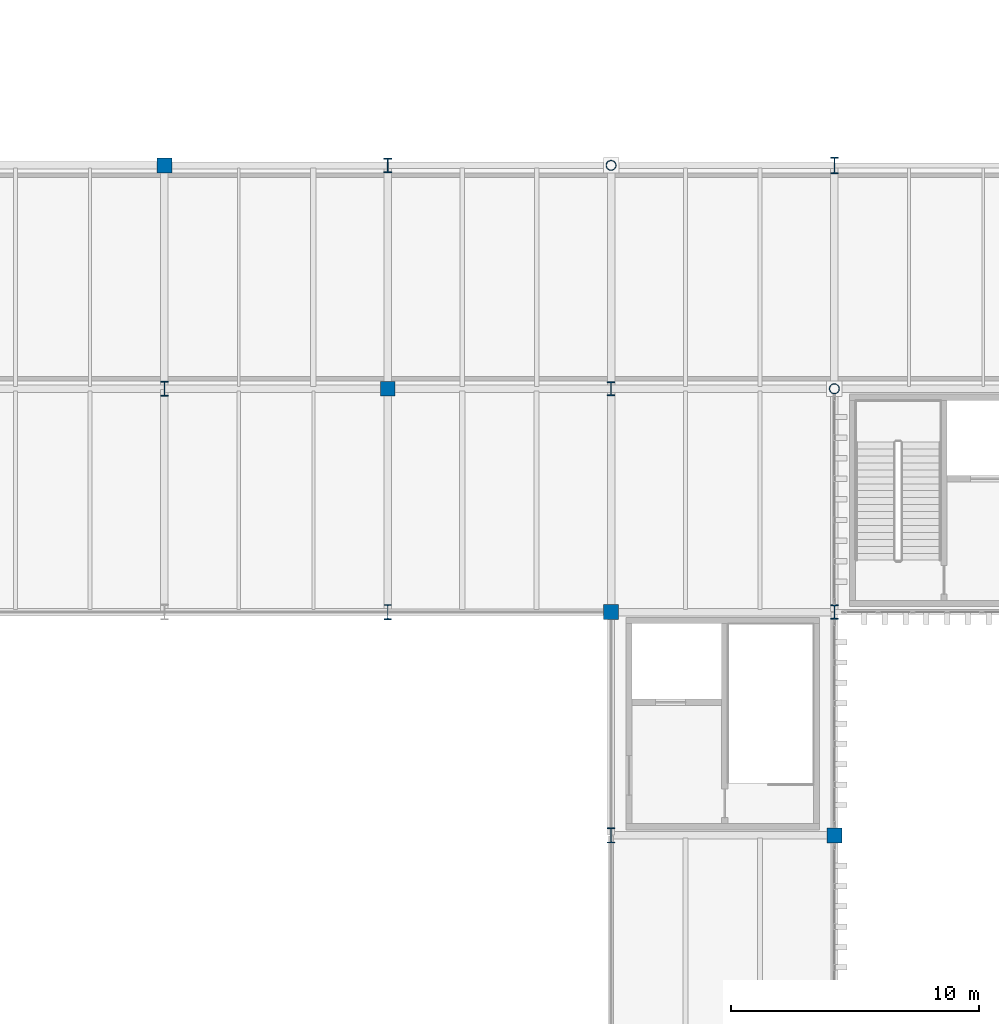
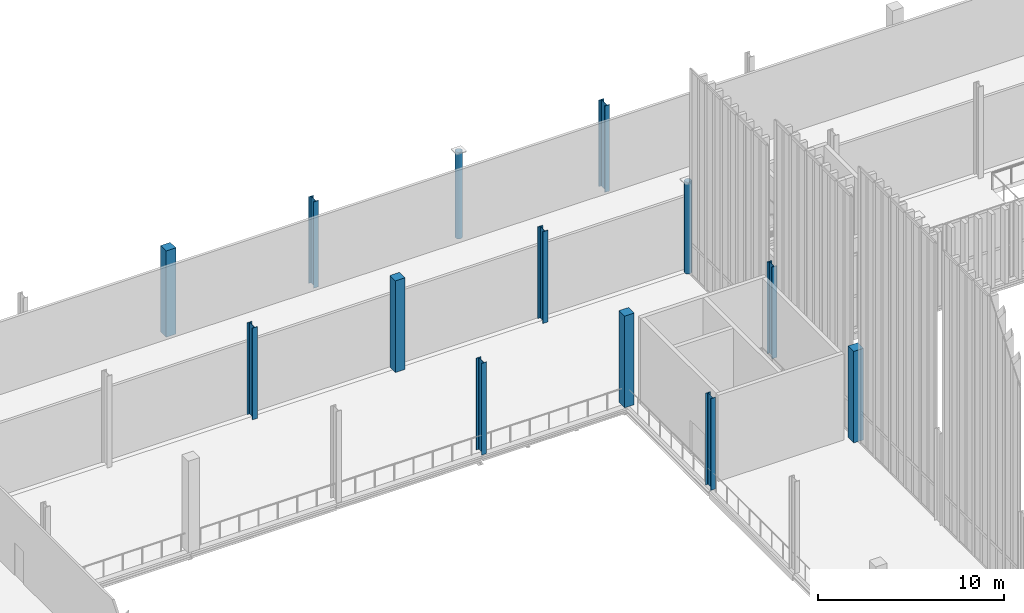
# One storey, part 4 of 237: 13 columns.
"""IFC4 building model written with IfcOpenShell, lengths in metres."""

from ifc_helpers import new_model, si_unit, direction, frame, origin, origin_2d, place, context, subcontext, project, spatial, rectangle, hollow_circle, i_section, extrude, material, material_profile, profile_set, type_object, element, save


model = new_model("IFC4")

# Units and contexts
model_context = context("Model", 3, precision=1e-05, world=origin(), true_north=direction((0.0, 1.0)))
body_context = subcontext(model_context, "Body", "Model", "MODEL_VIEW")
ifc_project = project(units=[si_unit("LENGTHUNIT", "METRE"), si_unit("AREAUNIT", "SQUARE_METRE"), si_unit("VOLUMEUNIT", "CUBIC_METRE"), si_unit("PLANEANGLEUNIT", "RADIAN"), si_unit("MASSUNIT", "GRAM", prefix="KILO")], contexts=[model_context])

# Site, building, storey
site_placement = place(None, origin())
site = spatial("IfcSite", under=ifc_project, at=site_placement, CompositionType="ELEMENT")
building_placement = place(site_placement, origin())
building = spatial("IfcBuilding", under=site, at=building_placement, Name="Barlavento Convention Centre", CompositionType="ELEMENT")
storey_placement = place(building_placement, frame((0.0, 0.0, 12.0)))
storey = spatial("IfcBuildingStorey", under=building, at=storey_placement, Name="L02", CompositionType="ELEMENT", Elevation=12.0)

# Columns
ifc_material_1 = material(Name="Steel S355", Category="steel")
ifc_material_profile_1 = material_profile(ifc_material_1, hollow_circle(Radius=0.203125, WallThickness=0.01611328125, at=origin_2d()), Name="CHS 406.4x16.0")
ifc_profile_set_1 = profile_set([ifc_material_profile_1], Name="Steel S355")
column_type_1 = type_object("IfcColumnType", Name="STR-COL-CHS406", PredefinedType="COLUMN", material=ifc_profile_set_1)
column_1_placement = place(storey_placement, frame((54.0, 63.0, 0.0), z_axis=(0.0, 0.0, 1.0), x_axis=(1.0, 0.0, 0.0)))
element("IfcColumn", 1, at=column_1_placement, inside=storey, type_object=column_type_1, Name="L02 column SC14", PredefinedType="COLUMN", context=body_context, shape_type="SweptSolid", body=[
    extrude(hollow_circle(Radius=0.203125, WallThickness=0.01611328125, at=origin_2d()), origin(), (0.0, 0.0, 1.0), 5.655029296875),
])
column_2_placement = place(storey_placement, frame((63.0, 54.0, 0.0), z_axis=(0.0, 0.0, 1.0), x_axis=(1.0, 0.0, 0.0)))
element("IfcColumn", 2, at=column_2_placement, inside=storey, type_object=column_type_1, Name="L02 column SC14", PredefinedType="COLUMN", context=body_context, shape_type="SweptSolid", body=[
    extrude(hollow_circle(Radius=0.203125, WallThickness=0.01611328125, at=origin_2d()), origin(), (0.0, 0.0, 1.0), 6.0),
])
ifc_material_profile_2 = material_profile(ifc_material_1, i_section(OverallWidth=0.300048828125, OverallDepth=0.60009765625, WebThickness=0.015380859375, FlangeThickness=0.030029296875, FilletRadius=0.027099609375, at=origin_2d()), Name="HEB 600")
ifc_profile_set_2 = profile_set([ifc_material_profile_2], Name="Steel S355")
column_type_2 = type_object("IfcColumnType", Name="STR-COL-HEB600", PredefinedType="COLUMN", material=ifc_profile_set_2)
for number, where, z_axis, x_axis, name in (
    (3, (36.0, 54.0, 0.0), (0.0, 0.0, 1.0), (1.0, 0.0, 0.0), "L02 column SC08"),
    (4, (45.0, 45.0, 0.0), (0.0, 0.0, 1.0), (1.0, 0.0, 0.0), "L02 column SC08"),
    (5, (54.0, 36.0, 0.0), (0.0, 0.0, 1.0), (1.0, 0.0, 0.0), "L02 column SC08"),
):
    element("IfcColumn", number, at=place(storey_placement, frame(where, z_axis=z_axis, x_axis=x_axis)), inside=storey, type_object=column_type_2, Name=name, PredefinedType="COLUMN", context=body_context, shape_type="SweptSolid", body=[
        extrude(i_section(OverallWidth=0.300048828125, OverallDepth=0.60009765625, WebThickness=0.015380859375, FlangeThickness=0.030029296875, FilletRadius=0.027099609375, at=origin_2d()), origin(), (0.0, 0.0, 1.0), 6.0),
    ])
ifc_material_profile_3 = material_profile(ifc_material_1, i_section(OverallWidth=0.305908203125, OverallDepth=0.572021484375, WebThickness=0.02099609375, FlangeThickness=0.0400390625, FilletRadius=0.027099609375, at=origin_2d()), Name="HEM 550")
ifc_profile_set_3 = profile_set([ifc_material_profile_3], Name="Steel S355")
column_type_3 = type_object("IfcColumnType", Name="STR-COL-HEM550", PredefinedType="COLUMN", material=ifc_profile_set_3)
column_3_placement = place(storey_placement, frame((45.0, 63.0, 0.0), z_axis=(0.0, 0.0, 1.0), x_axis=(1.0, 0.0, 0.0)))
element("IfcColumn", 6, at=column_3_placement, inside=storey, type_object=column_type_3, Name="L02 column SC06", PredefinedType="COLUMN", context=body_context, shape_type="SweptSolid", body=[
    extrude(i_section(OverallWidth=0.305908203125, OverallDepth=0.572021484375, WebThickness=0.02099609375, FlangeThickness=0.0400390625, FilletRadius=0.027099609375, at=origin_2d()), origin(), (0.0, 0.0, 1.0), 5.655029296875),
])
for number, where, z_axis, x_axis, name in (
    (7, (54.0, 54.0, 0.0), (0.0, 0.0, 1.0), (1.0, 0.0, 0.0), "L02 column SC06"),
    (8, (63.0, 45.0, 0.0), (0.0, 0.0, 1.0), (1.0, 0.0, 0.0), "L02 column SC06"),
):
    element("IfcColumn", number, at=place(storey_placement, frame(where, z_axis=z_axis, x_axis=x_axis)), inside=storey, type_object=column_type_3, Name=name, PredefinedType="COLUMN", context=body_context, shape_type="SweptSolid", body=[
        extrude(i_section(OverallWidth=0.305908203125, OverallDepth=0.572021484375, WebThickness=0.02099609375, FlangeThickness=0.0400390625, FilletRadius=0.027099609375, at=origin_2d()), origin(), (0.0, 0.0, 1.0), 6.0),
    ])
ifc_material_2 = material(Name="Steel S460", Category="steel")
ifc_material_profile_4 = material_profile(ifc_material_2, i_section(OverallWidth=0.304931640625, OverallDepth=0.66796875, WebThickness=0.02099609375, FlangeThickness=0.0400390625, FilletRadius=0.027099609375, at=origin_2d()), Name="HEM 650")
ifc_profile_set_4 = profile_set([ifc_material_profile_4], Name="Steel S460")
column_type_4 = type_object("IfcColumnType", Name="STR-COL-HEM650", PredefinedType="COLUMN", material=ifc_profile_set_4)
column_4_placement = place(storey_placement, frame((63.0, 63.0, 0.0), z_axis=(0.0, 0.0, 1.0), x_axis=(1.0, 0.0, 0.0)))
element("IfcColumn", 9, at=column_4_placement, inside=storey, type_object=column_type_4, Name="L02 column SC04", PredefinedType="COLUMN", context=body_context, shape_type="SweptSolid", body=[
    extrude(i_section(OverallWidth=0.304931640625, OverallDepth=0.66796875, WebThickness=0.02099609375, FlangeThickness=0.0400390625, FilletRadius=0.027099609375, at=origin_2d()), origin(), (0.0, 0.0, 1.0), 5.655029296875),
])
ifc_material_3 = material(Name="Concrete C40/50", Category="concrete")
ifc_material_profile_5 = material_profile(ifc_material_3, rectangle(XDim=0.60009765625, YDim=0.60009765625, at=origin_2d()), Name="RC 600x600")
ifc_profile_set_5 = profile_set([ifc_material_profile_5], Name="Concrete C40/50")
column_type_5 = type_object("IfcColumnType", Name="STR-COL-RC600", PredefinedType="COLUMN", material=ifc_profile_set_5)
column_5_placement = place(storey_placement, frame((36.0, 63.0, 0.0), z_axis=(0.0, 0.0, 1.0), x_axis=(1.0, 0.0, 0.0)))
element("IfcColumn", 10, at=column_5_placement, inside=storey, type_object=column_type_5, Name="L02 column CC07", PredefinedType="COLUMN", context=body_context, shape_type="SweptSolid", body=[
    extrude(rectangle(XDim=0.60009765625, YDim=0.60009765625, at=origin_2d()), origin(), (0.0, 0.0, 1.0), 5.655029296875),
])
for number, where, z_axis, x_axis, name in (
    (11, (45.0, 54.0, 0.0), (0.0, 0.0, 1.0), (1.0, 0.0, 0.0), "L02 column CC07"),
    (12, (54.0, 45.0, 0.0), (0.0, 0.0, 1.0), (1.0, 0.0, 0.0), "L02 column CC07"),
    (13, (63.0, 36.0, 0.0), (0.0, 0.0, 1.0), (1.0, 0.0, 0.0), "L02 column CC07"),
):
    element("IfcColumn", number, at=place(storey_placement, frame(where, z_axis=z_axis, x_axis=x_axis)), inside=storey, type_object=column_type_5, Name=name, PredefinedType="COLUMN", context=body_context, shape_type="SweptSolid", body=[
        extrude(rectangle(XDim=0.60009765625, YDim=0.60009765625, at=origin_2d()), origin(), (0.0, 0.0, 1.0), 6.0),
    ])

save(model, "model.ifc")
